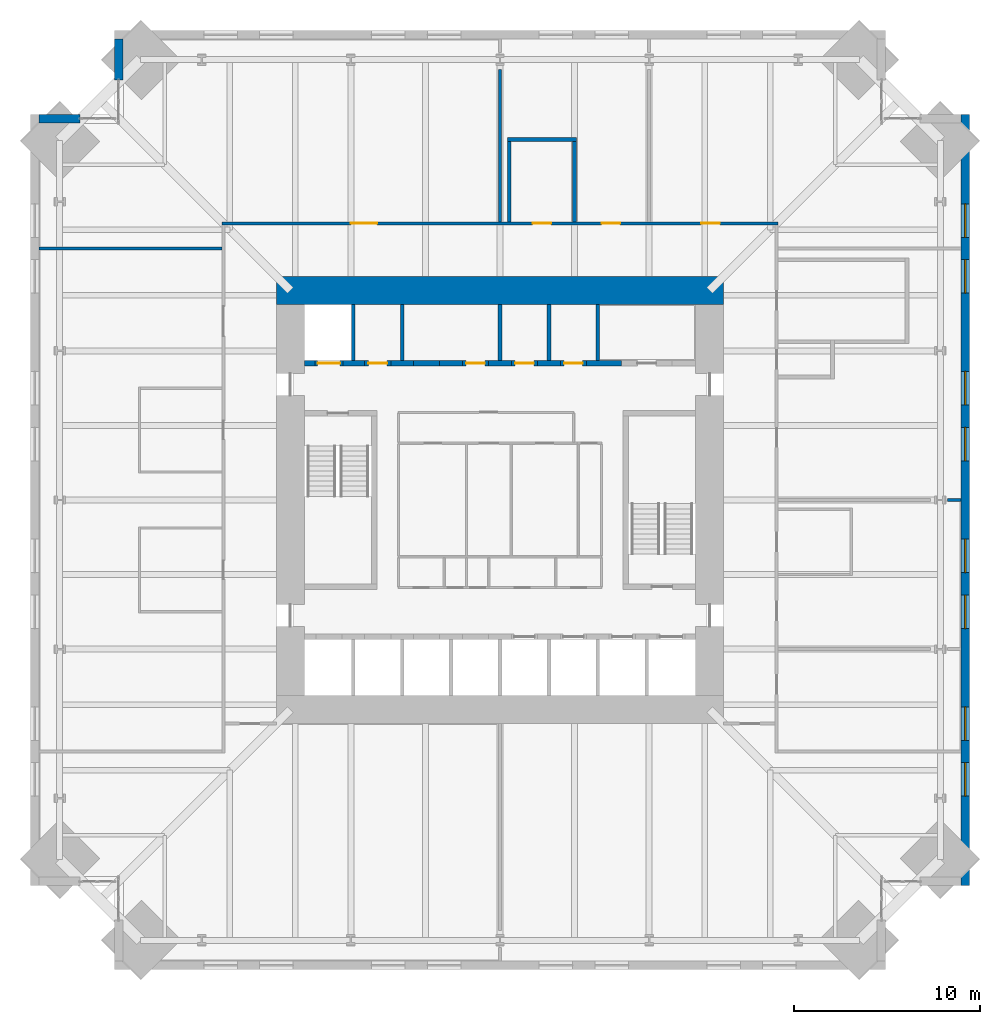
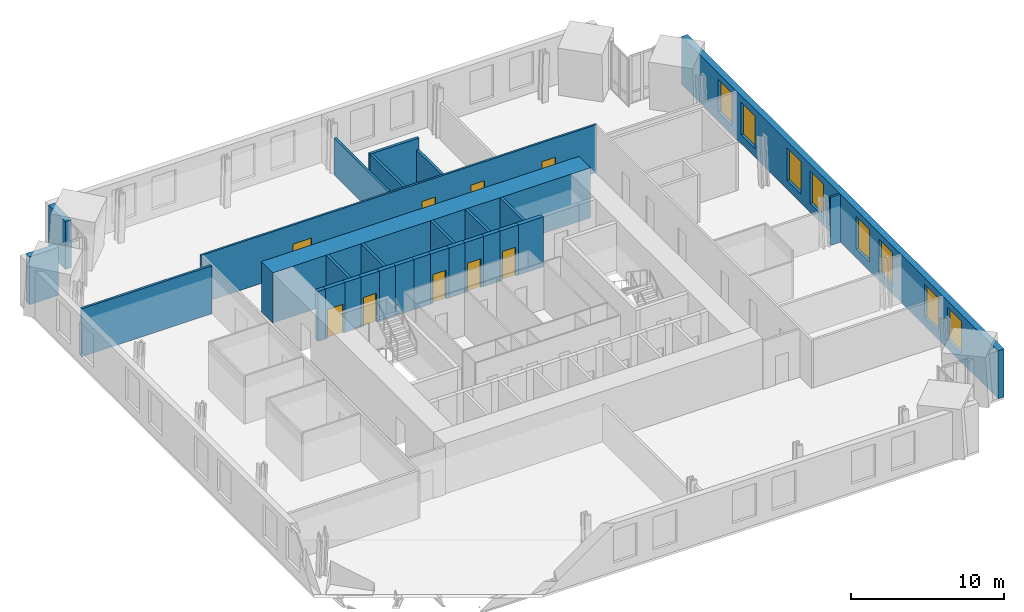
# One storey, part 13 of 15: 29 walls, 9 doors, 8 windows, 17 openings.
"""IFC4 building model written with IfcOpenShell, lengths in metres."""

from ifc_helpers import new_model, si_unit, direction, frame, frame_2d, origin, place, context, subcontext, project, spatial, rectangle, extrude, material, layer, layer_set, type_object, element, fill, save


model = new_model("IFC4")

# Units and contexts
model_context = context("Model", 3, precision=1e-05, world=origin(), true_north=direction((0.0, 1.0)))
body_context = subcontext(model_context, "Body", "Model", "MODEL_VIEW")
ifc_project = project(units=[si_unit("LENGTHUNIT", "METRE"), si_unit("AREAUNIT", "SQUARE_METRE"), si_unit("VOLUMEUNIT", "CUBIC_METRE"), si_unit("PLANEANGLEUNIT", "RADIAN"), si_unit("MASSUNIT", "GRAM", prefix="KILO")], contexts=[model_context])

# Site, building, storey
site_placement = place(None, origin())
site = spatial("IfcSite", under=ifc_project, at=site_placement, CompositionType="ELEMENT")
building_placement = place(site_placement, origin())
building = spatial("IfcBuilding", under=site, at=building_placement, Name="Peilmerk Tower", CompositionType="ELEMENT")
storey_placement = place(building_placement, frame((0.0, 0.0, 179.800048828125)))
storey = spatial("IfcBuildingStorey", under=building, at=storey_placement, Name="L38", CompositionType="ELEMENT", Elevation=179.800048828125)

# Wall, openings, windows
ifc_material_1 = material(Name="Precast concrete C45/55, board-marked finish", Category="concrete")
ifc_layer_1 = layer(ifc_material_1, 0.449951171875)
ifc_layer_set_1 = layer_set([ifc_layer_1], Name="Precast concrete C45/55, board-marked finish")
wall_type_1 = type_object("IfcWallType", Name="EW1 450 precast concrete facade wall, board-marked", PredefinedType="SOLIDWALL", material=ifc_layer_set_1)
wall_1_placement = place(storey_placement, frame((24.97509765625, -20.699951171875, 0.0), z_axis=(0.0, 0.0, 1.0), x_axis=(0.0, 1.0, 0.0)))
wall_1 = element("IfcWall", 1, at=wall_1_placement, inside=storey, type_object=wall_type_1, Name="Facade wall E L38", PredefinedType="SOLIDWALL", context=body_context, shape_type="SweptSolid", body=[
    extrude(rectangle(XDim=41.39990234375, YDim=0.449951171875, at=frame_2d((20.699951171875, 0.0))), origin(), (0.0, 0.0, 1.0), 3.829833984375),
])
opening_1_placement = place(wall_1_placement, frame((4.800048828125, 0.0, 0.699951171875)))
opening_1 = element("IfcOpeningElement", 2, at=opening_1_placement, cuts=wall_1, Name="Opening W1", PredefinedType="OPENING", context=body_context, shape_type="SweptSolid", body=[
    extrude(rectangle(XDim=1.800048828125, YDim=2.60009765625, at=frame_2d((0.89990234375, 1.300048828125))), frame((0.0, 0.23486328125, 0.0), z_axis=(0.0, -1.0, 0.0), x_axis=(1.0, 0.0, 0.0)), (0.0, 0.0, 1.0), 0.469970703125),
])
opening_2_placement = place(wall_1_placement, frame((7.800048828125, 0.0, 0.699951171875)))
opening_2 = element("IfcOpeningElement", 3, at=opening_2_placement, cuts=wall_1, Name="Opening W1", PredefinedType="OPENING", context=body_context, shape_type="SweptSolid", body=[
    extrude(rectangle(XDim=1.800048828125, YDim=2.60009765625, at=frame_2d((0.89990234375, 1.300048828125))), frame((0.0, 0.23486328125, 0.0), z_axis=(0.0, -1.0, 0.0), x_axis=(1.0, 0.0, 0.0)), (0.0, 0.0, 1.0), 0.469970703125),
])
opening_3_placement = place(wall_1_placement, frame((13.800048828125, 0.0, 0.699951171875)))
opening_3 = element("IfcOpeningElement", 4, at=opening_3_placement, cuts=wall_1, Name="Opening W1", PredefinedType="OPENING", context=body_context, shape_type="SweptSolid", body=[
    extrude(rectangle(XDim=1.800048828125, YDim=2.60009765625, at=frame_2d((0.89990234375, 1.300048828125))), frame((0.0, 0.23486328125, 0.0), z_axis=(0.0, -1.0, 0.0), x_axis=(1.0, 0.0, 0.0)), (0.0, 0.0, 1.0), 0.469970703125),
])
opening_4_placement = place(wall_1_placement, frame((16.800048828125, 0.0, 0.699951171875)))
opening_4 = element("IfcOpeningElement", 5, at=opening_4_placement, cuts=wall_1, Name="Opening W1", PredefinedType="OPENING", context=body_context, shape_type="SweptSolid", body=[
    extrude(rectangle(XDim=1.800048828125, YDim=2.60009765625, at=frame_2d((0.89990234375, 1.300048828125))), frame((0.0, 0.23486328125, 0.0), z_axis=(0.0, -1.0, 0.0), x_axis=(1.0, 0.0, 0.0)), (0.0, 0.0, 1.0), 0.469970703125),
])
opening_5_placement = place(wall_1_placement, frame((22.800048828125, 0.0, 0.699951171875)))
opening_5 = element("IfcOpeningElement", 6, at=opening_5_placement, cuts=wall_1, Name="Opening W1", PredefinedType="OPENING", context=body_context, shape_type="SweptSolid", body=[
    extrude(rectangle(XDim=1.800048828125, YDim=2.60009765625, at=frame_2d((0.89990234375, 1.300048828125))), frame((0.0, 0.23486328125, 0.0), z_axis=(0.0, -1.0, 0.0), x_axis=(1.0, 0.0, 0.0)), (0.0, 0.0, 1.0), 0.469970703125),
])
opening_6_placement = place(wall_1_placement, frame((25.800048828125, 0.0, 0.699951171875)))
opening_6 = element("IfcOpeningElement", 7, at=opening_6_placement, cuts=wall_1, Name="Opening W1", PredefinedType="OPENING", context=body_context, shape_type="SweptSolid", body=[
    extrude(rectangle(XDim=1.800048828125, YDim=2.60009765625, at=frame_2d((0.89990234375, 1.300048828125))), frame((0.0, 0.23486328125, 0.0), z_axis=(0.0, -1.0, 0.0), x_axis=(1.0, 0.0, 0.0)), (0.0, 0.0, 1.0), 0.469970703125),
])
opening_7_placement = place(wall_1_placement, frame((31.800048828125, 0.0, 0.699951171875)))
opening_7 = element("IfcOpeningElement", 8, at=opening_7_placement, cuts=wall_1, Name="Opening W1", PredefinedType="OPENING", context=body_context, shape_type="SweptSolid", body=[
    extrude(rectangle(XDim=1.800048828125, YDim=2.60009765625, at=frame_2d((0.89990234375, 1.300048828125))), frame((0.0, 0.23486328125, 0.0), z_axis=(0.0, -1.0, 0.0), x_axis=(1.0, 0.0, 0.0)), (0.0, 0.0, 1.0), 0.469970703125),
])
opening_8_placement = place(wall_1_placement, frame((34.800048828125, 0.0, 0.699951171875)))
opening_8 = element("IfcOpeningElement", 9, at=opening_8_placement, cuts=wall_1, Name="Opening W1", PredefinedType="OPENING", context=body_context, shape_type="SweptSolid", body=[
    extrude(rectangle(XDim=1.800048828125, YDim=2.60009765625, at=frame_2d((0.89990234375, 1.300048828125))), frame((0.0, 0.23486328125, 0.0), z_axis=(0.0, -1.0, 0.0), x_axis=(1.0, 0.0, 0.0)), (0.0, 0.0, 1.0), 0.469970703125),
])
ifc_material_2 = material(Name="Aluminium frame, clear double glazing", Category="aluminium")
window_type = type_object("IfcWindowType", Name="W1 1800x2600 office window", PartitioningType="SINGLE_PANEL", PredefinedType="WINDOW", material=ifc_material_2)
window_1_placement = place(opening_1_placement, origin())
window_1 = element("IfcWindow", 10, at=window_1_placement, inside=storey, type_object=window_type, Name="Window W1 L38", OverallHeight=2.60009765625, OverallWidth=1.800048828125, PartitioningType="SINGLE_PANEL", PredefinedType="WINDOW", context=body_context, shape_type="SweptSolid", body=[
    extrude(rectangle(XDim=1.800048828125, YDim=2.60009765625, at=frame_2d((0.89990234375, 1.300048828125))), frame((0.0, 0.030029296875, 0.0), z_axis=(0.0, -1.0, 0.0), x_axis=(1.0, 0.0, 0.0)), (0.0, 0.0, 1.0), 0.06005859375),
])
fill(opening_1, window_1)
window_2_placement = place(opening_2_placement, origin())
window_2 = element("IfcWindow", 11, at=window_2_placement, inside=storey, type_object=window_type, Name="Window W1 L38", OverallHeight=2.60009765625, OverallWidth=1.800048828125, PartitioningType="SINGLE_PANEL", PredefinedType="WINDOW", context=body_context, shape_type="SweptSolid", body=[
    extrude(rectangle(XDim=1.800048828125, YDim=2.60009765625, at=frame_2d((0.89990234375, 1.300048828125))), frame((0.0, 0.030029296875, 0.0), z_axis=(0.0, -1.0, 0.0), x_axis=(1.0, 0.0, 0.0)), (0.0, 0.0, 1.0), 0.06005859375),
])
fill(opening_2, window_2)
window_3_placement = place(opening_3_placement, origin())
window_3 = element("IfcWindow", 12, at=window_3_placement, inside=storey, type_object=window_type, Name="Window W1 L38", OverallHeight=2.60009765625, OverallWidth=1.800048828125, PartitioningType="SINGLE_PANEL", PredefinedType="WINDOW", context=body_context, shape_type="SweptSolid", body=[
    extrude(rectangle(XDim=1.800048828125, YDim=2.60009765625, at=frame_2d((0.89990234375, 1.300048828125))), frame((0.0, 0.030029296875, 0.0), z_axis=(0.0, -1.0, 0.0), x_axis=(1.0, 0.0, 0.0)), (0.0, 0.0, 1.0), 0.06005859375),
])
fill(opening_3, window_3)
window_4_placement = place(opening_4_placement, origin())
window_4 = element("IfcWindow", 13, at=window_4_placement, inside=storey, type_object=window_type, Name="Window W1 L38", OverallHeight=2.60009765625, OverallWidth=1.800048828125, PartitioningType="SINGLE_PANEL", PredefinedType="WINDOW", context=body_context, shape_type="SweptSolid", body=[
    extrude(rectangle(XDim=1.800048828125, YDim=2.60009765625, at=frame_2d((0.89990234375, 1.300048828125))), frame((0.0, 0.030029296875, 0.0), z_axis=(0.0, -1.0, 0.0), x_axis=(1.0, 0.0, 0.0)), (0.0, 0.0, 1.0), 0.06005859375),
])
fill(opening_4, window_4)
window_5_placement = place(opening_5_placement, origin())
window_5 = element("IfcWindow", 14, at=window_5_placement, inside=storey, type_object=window_type, Name="Window W1 L38", OverallHeight=2.60009765625, OverallWidth=1.800048828125, PartitioningType="SINGLE_PANEL", PredefinedType="WINDOW", context=body_context, shape_type="SweptSolid", body=[
    extrude(rectangle(XDim=1.800048828125, YDim=2.60009765625, at=frame_2d((0.89990234375, 1.300048828125))), frame((0.0, 0.030029296875, 0.0), z_axis=(0.0, -1.0, 0.0), x_axis=(1.0, 0.0, 0.0)), (0.0, 0.0, 1.0), 0.06005859375),
])
fill(opening_5, window_5)
window_6_placement = place(opening_6_placement, origin())
window_6 = element("IfcWindow", 15, at=window_6_placement, inside=storey, type_object=window_type, Name="Window W1 L38", OverallHeight=2.60009765625, OverallWidth=1.800048828125, PartitioningType="SINGLE_PANEL", PredefinedType="WINDOW", context=body_context, shape_type="SweptSolid", body=[
    extrude(rectangle(XDim=1.800048828125, YDim=2.60009765625, at=frame_2d((0.89990234375, 1.300048828125))), frame((0.0, 0.030029296875, 0.0), z_axis=(0.0, -1.0, 0.0), x_axis=(1.0, 0.0, 0.0)), (0.0, 0.0, 1.0), 0.06005859375),
])
fill(opening_6, window_6)
window_7_placement = place(opening_7_placement, origin())
window_7 = element("IfcWindow", 16, at=window_7_placement, inside=storey, type_object=window_type, Name="Window W1 L38", OverallHeight=2.60009765625, OverallWidth=1.800048828125, PartitioningType="SINGLE_PANEL", PredefinedType="WINDOW", context=body_context, shape_type="SweptSolid", body=[
    extrude(rectangle(XDim=1.800048828125, YDim=2.60009765625, at=frame_2d((0.89990234375, 1.300048828125))), frame((0.0, 0.030029296875, 0.0), z_axis=(0.0, -1.0, 0.0), x_axis=(1.0, 0.0, 0.0)), (0.0, 0.0, 1.0), 0.06005859375),
])
fill(opening_7, window_7)
window_8_placement = place(opening_8_placement, origin())
window_8 = element("IfcWindow", 17, at=window_8_placement, inside=storey, type_object=window_type, Name="Window W1 L38", OverallHeight=2.60009765625, OverallWidth=1.800048828125, PartitioningType="SINGLE_PANEL", PredefinedType="WINDOW", context=body_context, shape_type="SweptSolid", body=[
    extrude(rectangle(XDim=1.800048828125, YDim=2.60009765625, at=frame_2d((0.89990234375, 1.300048828125))), frame((0.0, 0.030029296875, 0.0), z_axis=(0.0, -1.0, 0.0), x_axis=(1.0, 0.0, 0.0)), (0.0, 0.0, 1.0), 0.06005859375),
])
fill(opening_8, window_8)

# Walls
for number, where, z_axis, x_axis, name in (
    (18, (-20.47509765625, 22.5537109375, 0.0), (0.0, 0.0, 1.0), (0.0, 1.0, 0.0), "Facade wall NWA L38"),
    (19, (-22.5537109375, 20.47509765625, 0.0), (0.0, 0.0, 1.0), (-1.0, 0.0, 0.0), "Facade wall NWB L38"),
):
    element("IfcWall", number, at=place(storey_placement, frame(where, z_axis=z_axis, x_axis=x_axis)), inside=storey, type_object=wall_type_1, Name=name, PredefinedType="SOLIDWALL", context=body_context, shape_type="SweptSolid", body=[
        extrude(rectangle(XDim=2.1962890625, YDim=0.449951171875, at=frame_2d((1.09814453125, 0.0))), origin(), (0.0, 0.0, 1.0), 3.829833984375),
    ])

# Wall, openings, doors
ifc_material_3 = material(Name="Calcium silicate block", Category="masonry")
ifc_layer_2 = layer(ifc_material_3, 0.14990234375)
ifc_layer_set_2 = layer_set([ifc_layer_2], Name="Calcium silicate block")
wall_type_2 = type_object("IfcWallType", Name="IW1 150 corridor partition, EI 60", PredefinedType="PARTITIONING", material=ifc_layer_set_2)
wall_2_placement = place(storey_placement, frame((-14.925048828125, 14.85009765625, 0.0), z_axis=(0.0, 0.0, 1.0), x_axis=(1.0, 0.0, 0.0)))
wall_2 = element("IfcWall", 20, at=wall_2_placement, inside=storey, type_object=wall_type_2, Name="Corridor wall N L38", PredefinedType="PARTITIONING", context=body_context, shape_type="SweptSolid", body=[
    extrude(rectangle(XDim=29.85009765625, YDim=0.14990234375, at=frame_2d((14.925048828125, 0.0))), origin(), (0.0, 0.0, 1.0), 3.829833984375),
])
opening_9_placement = place(wall_2_placement, frame((6.925048828125, 0.0, 0.0)))
opening_9 = element("IfcOpeningElement", 21, at=opening_9_placement, cuts=wall_2, Name="Opening D8", PredefinedType="OPENING", context=body_context, shape_type="SweptSolid", body=[
    extrude(rectangle(XDim=1.39990234375, YDim=2.300048828125, at=frame_2d((0.699951171875, 1.14990234375))), frame((0.0, 0.0849609375, 0.0), z_axis=(0.0, -1.0, 0.0), x_axis=(1.0, 0.0, 0.0)), (0.0, 0.0, 1.0), 0.169921875),
])
opening_10_placement = place(wall_2_placement, frame((20.375, 0.0, 0.0)))
opening_10 = element("IfcOpeningElement", 22, at=opening_10_placement, cuts=wall_2, Name="Opening D1", PredefinedType="OPENING", context=body_context, shape_type="SweptSolid", body=[
    extrude(rectangle(XDim=1.0, YDim=2.300048828125, at=frame_2d((0.5, 1.14990234375))), frame((0.0, 0.0849609375, 0.0), z_axis=(0.0, -1.0, 0.0), x_axis=(1.0, 0.0, 0.0)), (0.0, 0.0, 1.0), 0.169921875),
])
opening_11_placement = place(wall_2_placement, frame((25.72509765625, 0.0, 0.0)))
opening_11 = element("IfcOpeningElement", 23, at=opening_11_placement, cuts=wall_2, Name="Opening D1", PredefinedType="OPENING", context=body_context, shape_type="SweptSolid", body=[
    extrude(rectangle(XDim=1.0, YDim=2.300048828125, at=frame_2d((0.5, 1.14990234375))), frame((0.0, 0.0849609375, 0.0), z_axis=(0.0, -1.0, 0.0), x_axis=(1.0, 0.0, 0.0)), (0.0, 0.0, 1.0), 0.169921875),
])
opening_12_placement = place(wall_2_placement, frame((16.675048828125, 0.0, 0.0)))
opening_12 = element("IfcOpeningElement", 24, at=opening_12_placement, cuts=wall_2, Name="Opening D1", PredefinedType="OPENING", context=body_context, shape_type="SweptSolid", body=[
    extrude(rectangle(XDim=1.0, YDim=2.300048828125, at=frame_2d((0.5, 1.14990234375))), frame((0.0, 0.0849609375, 0.0), z_axis=(0.0, -1.0, 0.0), x_axis=(1.0, 0.0, 0.0)), (0.0, 0.0, 1.0), 0.169921875),
])
ifc_material_4 = material(Name="Timber door in steel frame", Category="steel")
door_type_1 = type_object("IfcDoorType", Name="D1 1000x2300 room door, EI2 30", OperationType="SINGLE_SWING_LEFT", PredefinedType="DOOR", material=ifc_material_4)
door_1_placement = place(opening_10_placement, origin())
door_1 = element("IfcDoor", 25, at=door_1_placement, inside=storey, type_object=door_type_1, Name="Door Changing room L38", OperationType="SINGLE_SWING_LEFT", OverallHeight=2.300048828125, OverallWidth=1.0, PredefinedType="DOOR", context=body_context, shape_type="SweptSolid", body=[
    extrude(rectangle(XDim=1.0, YDim=2.300048828125, at=frame_2d((0.5, 1.14990234375))), frame((0.0, 0.02490234375, 0.0), z_axis=(0.0, -1.0, 0.0), x_axis=(1.0, 0.0, 0.0)), (0.0, 0.0, 1.0), 0.050048828125),
])
fill(opening_10, door_1)
door_2_placement = place(opening_11_placement, origin())
door_2 = element("IfcDoor", 26, at=door_2_placement, inside=storey, type_object=door_type_1, Name="Door Exercise studio L38", OperationType="SINGLE_SWING_LEFT", OverallHeight=2.300048828125, OverallWidth=1.0, PredefinedType="DOOR", context=body_context, shape_type="SweptSolid", body=[
    extrude(rectangle(XDim=1.0, YDim=2.300048828125, at=frame_2d((0.5, 1.14990234375))), frame((0.0, 0.02490234375, 0.0), z_axis=(0.0, -1.0, 0.0), x_axis=(1.0, 0.0, 0.0)), (0.0, 0.0, 1.0), 0.050048828125),
])
fill(opening_11, door_2)
door_3_placement = place(opening_12_placement, origin())
door_3 = element("IfcDoor", 27, at=door_3_placement, inside=storey, type_object=door_type_1, Name="Door Locker room L38", OperationType="SINGLE_SWING_LEFT", OverallHeight=2.300048828125, OverallWidth=1.0, PredefinedType="DOOR", context=body_context, shape_type="SweptSolid", body=[
    extrude(rectangle(XDim=1.0, YDim=2.300048828125, at=frame_2d((0.5, 1.14990234375))), frame((0.0, 0.02490234375, 0.0), z_axis=(0.0, -1.0, 0.0), x_axis=(1.0, 0.0, 0.0)), (0.0, 0.0, 1.0), 0.050048828125),
])
fill(opening_12, door_3)
door_type_2 = type_object("IfcDoorType", Name="D8 1400x2300 leaf-and-a-half door, EI2 30", OperationType="DOUBLE_DOOR_SINGLE_SWING", PredefinedType="DOOR", material=ifc_material_4)
door_4_placement = place(opening_9_placement, origin())
door_4 = element("IfcDoor", 28, at=door_4_placement, inside=storey, type_object=door_type_2, Name="Door Fitness room L38", OperationType="DOUBLE_DOOR_SINGLE_SWING", OverallHeight=2.300048828125, OverallWidth=1.39990234375, PredefinedType="DOOR", context=body_context, shape_type="SweptSolid", body=[
    extrude(rectangle(XDim=1.39990234375, YDim=2.300048828125, at=frame_2d((0.699951171875, 1.14990234375))), frame((0.0, 0.02490234375, 0.0), z_axis=(0.0, -1.0, 0.0), x_axis=(1.0, 0.0, 0.0)), (0.0, 0.0, 1.0), 0.050048828125),
])
fill(opening_9, door_4)

# Walls
ifc_layer_3 = layer(ifc_material_3, 0.199951171875)
ifc_layer_set_3 = layer_set([ifc_layer_3], Name="Calcium silicate block")
wall_type_3 = type_object("IfcWallType", Name="IW2 200 room separating wall, EI 120", PredefinedType="PARTITIONING", material=ifc_layer_set_3)
wall_3_placement = place(storey_placement, frame((0.39990234375, 19.35009765625, 0.0), z_axis=(0.0, 0.0, 1.0), x_axis=(1.0, 0.0, 0.0)))
element("IfcWall", 29, at=wall_3_placement, inside=storey, type_object=wall_type_3, Name="Room separating wall Locker room L38", PredefinedType="PARTITIONING", context=body_context, shape_type="SweptSolid", body=[
    extrude(rectangle(XDim=3.7001953125, YDim=0.199951171875, at=frame_2d((1.85009765625, 0.0))), origin(), (0.0, 0.0, 1.0), 3.829833984375),
])
wall_4_placement = place(storey_placement, frame((0.5, 14.925048828125, 0.0), z_axis=(0.0, 0.0, 1.0), x_axis=(0.0, 1.0, 0.0)))
element("IfcWall", 30, at=wall_4_placement, inside=storey, type_object=wall_type_3, Name="Room separating wall Locker room L38", PredefinedType="PARTITIONING", context=body_context, shape_type="SweptSolid", body=[
    extrude(rectangle(XDim=4.324951171875, YDim=0.199951171875, at=frame_2d((2.16259765625, 0.0))), origin(), (0.0, 0.0, 1.0), 3.829833984375),
])
wall_5_placement = place(storey_placement, frame((4.0, 14.925048828125, 0.0), z_axis=(0.0, 0.0, 1.0), x_axis=(0.0, 1.0, 0.0)))
element("IfcWall", 31, at=wall_5_placement, inside=storey, type_object=wall_type_3, Name="Room separating wall Locker room L38", PredefinedType="PARTITIONING", context=body_context, shape_type="SweptSolid", body=[
    extrude(rectangle(XDim=4.324951171875, YDim=0.199951171875, at=frame_2d((2.16259765625, 0.0))), origin(), (0.0, 0.0, 1.0), 2.93994140625),
])
ifc_layer_4 = layer(ifc_material_3, 0.175048828125)
ifc_layer_set_4 = layer_set([ifc_layer_4], Name="Calcium silicate block")
wall_type_4 = type_object("IfcWallType", Name="IW8 175 tenant separating wall, EI 60", PredefinedType="PARTITIONING", material=ifc_layer_set_4)
wall_6_placement = place(storey_placement, frame((-24.75, 13.5, 0.0), z_axis=(0.0, 0.0, 1.0), x_axis=(1.0, 0.0, 0.0)))
element("IfcWall", 32, at=wall_6_placement, inside=storey, type_object=wall_type_4, Name="Tenant separating wall NW L38", PredefinedType="PARTITIONING", context=body_context, shape_type="SweptSolid", body=[
    extrude(rectangle(XDim=9.824951171875, YDim=0.175048828125, at=frame_2d((4.91259765625, 0.0))), origin(), (0.0, 0.0, 1.0), 3.829833984375),
])
wall_7_placement = place(storey_placement, frame((0.0, 14.925048828125, 0.0), z_axis=(0.0, 0.0, 1.0), x_axis=(0.0, 1.0, 0.0)))
element("IfcWall", 33, at=wall_7_placement, inside=storey, type_object=wall_type_4, Name="Tenant separating wall N1 L38", PredefinedType="PARTITIONING", context=body_context, shape_type="SweptSolid", body=[
    extrude(rectangle(XDim=8.196533203125, YDim=0.175048828125, at=frame_2d((4.09814453125, 0.0))), origin(), (0.0, 0.0, 1.0), 2.93994140625),
])
wall_8_placement = place(storey_placement, frame((24.0107421875, 0.0, 0.0), z_axis=(0.0, 0.0, 1.0), x_axis=(1.0, 0.0, 0.0)))
element("IfcWall", 34, at=wall_8_placement, inside=storey, type_object=wall_type_4, Name="Tenant separating wall E2b L38", PredefinedType="PARTITIONING", context=body_context, shape_type="SweptSolid", body=[
    extrude(rectangle(XDim=0.7392578125, YDim=0.175048828125, at=frame_2d((0.36962890625, 0.0))), origin(), (0.0, 0.0, 1.0), 3.829833984375),
])
ifc_layer_5 = layer(ifc_material_3, 0.199951171875)
ifc_layer_set_5 = layer_set([ifc_layer_5], Name="Calcium silicate block")
wall_type_5 = type_object("IfcWallType", Name="SH1 200 shaft dividing wall, EI 120", PredefinedType="PARTITIONING", material=ifc_layer_set_5)
for number, where, z_axis, x_axis, name in (
    (35, (-7.875, 7.5, 0.0), (0.0, 0.0, 1.0), (0.0, 1.0, 0.0), "Shaft wall N FL1 L38"),
    (36, (-5.25, 7.5, 0.0), (0.0, 0.0, 1.0), (0.0, 1.0, 0.0), "Shaft wall N A1 L38"),
    (37, (0.0, 7.5, 0.0), (0.0, 0.0, 1.0), (0.0, 1.0, 0.0), "Shaft wall N A3 L38"),
    (38, (2.625, 7.5, 0.0), (0.0, 0.0, 1.0), (0.0, 1.0, 0.0), "Shaft wall N S1 L38"),
    (39, (5.25, 7.5, 0.0), (0.0, 0.0, 1.0), (0.0, 1.0, 0.0), "Shaft wall N S2 L38"),
):
    element("IfcWall", number, at=place(storey_placement, frame(where, z_axis=z_axis, x_axis=x_axis)), inside=storey, type_object=wall_type_5, Name=name, PredefinedType="PARTITIONING", context=body_context, shape_type="SweptSolid", body=[
        extrude(rectangle(XDim=3.0, YDim=0.199951171875, at=frame_2d((1.5, 0.0))), origin(), (0.0, 0.0, 1.0), 4.0),
    ])

# Wall, opening, door
ifc_layer_6 = layer(ifc_material_3, 0.300048828125)
ifc_layer_set_6 = layer_set([ifc_layer_6], Name="Calcium silicate block")
wall_type_6 = type_object("IfcWallType", Name="SH2 300 lift landing door panel, EI 120", PredefinedType="PARTITIONING", material=ifc_layer_set_6)
wall_9_placement = place(storey_placement, frame((-9.9375, 7.35009765625, 0.0), z_axis=(0.0, 0.0, 1.0), x_axis=(1.0, 0.0, 0.0)))
wall_9 = element("IfcWall", 40, at=wall_9_placement, inside=storey, type_object=wall_type_6, Name="Lift door panel N FL1 L38", PredefinedType="PARTITIONING", context=body_context, shape_type="SweptSolid", body=[
    extrude(rectangle(XDim=1.5, YDim=0.300048828125, at=frame_2d((0.75, 0.0))), origin(), (0.0, 0.0, 1.0), 4.0),
])
opening_13_placement = place(wall_9_placement, frame((0.14990234375, 0.0, 0.0)))
opening_13 = element("IfcOpeningElement", 41, at=opening_13_placement, cuts=wall_9, Name="Opening LD2", PredefinedType="OPENING", context=body_context, shape_type="SweptSolid", body=[
    extrude(rectangle(XDim=1.199951171875, YDim=2.300048828125, at=frame_2d((0.60009765625, 1.14990234375))), frame((0.0, 0.159912109375, 0.0), z_axis=(0.0, -1.0, 0.0), x_axis=(1.0, 0.0, 0.0)), (0.0, 0.0, 1.0), 0.320068359375),
])
ifc_material_5 = material(Name="Stainless steel landing door", Category="steel")
door_type_3 = type_object("IfcDoorType", Name="LD2 1200x2300 lift landing door, sliding, EI2 60", OperationType="SLIDING_TO_LEFT", PredefinedType="DOOR", material=ifc_material_5)
door_5_placement = place(opening_13_placement, frame((1.199951171875, 0.0, 0.0), z_axis=(0.0, 0.0, 1.0), x_axis=(-1.0, 0.0, 0.0)))
door_5 = element("IfcDoor", 42, at=door_5_placement, inside=storey, type_object=door_type_3, Name="Lift landing door FL1 L38", OperationType="SLIDING_TO_LEFT", OverallHeight=2.300048828125, OverallWidth=1.199951171875, PredefinedType="DOOR", context=body_context, shape_type="SweptSolid", body=[
    extrude(rectangle(XDim=1.199951171875, YDim=2.300048828125, at=frame_2d((0.60009765625, 1.14990234375))), frame((0.0, 0.02490234375, 0.0), z_axis=(0.0, -1.0, 0.0), x_axis=(1.0, 0.0, 0.0)), (0.0, 0.0, 1.0), 0.050048828125),
])
fill(opening_13, door_5)

wall_10_placement = place(storey_placement, frame((-7.262451171875, 7.35009765625, 0.0), z_axis=(0.0, 0.0, 1.0), x_axis=(1.0, 0.0, 0.0)))
wall_10 = element("IfcWall", 43, at=wall_10_placement, inside=storey, type_object=wall_type_6, Name="Lift door panel N A1 L38", PredefinedType="PARTITIONING", context=body_context, shape_type="SweptSolid", body=[
    extrude(rectangle(XDim=1.39990234375, YDim=0.300048828125, at=frame_2d((0.699951171875, 0.0))), origin(), (0.0, 0.0, 1.0), 4.0),
])
opening_14_placement = place(wall_10_placement, frame((0.199951171875, 0.0, 0.0)))
opening_14 = element("IfcOpeningElement", 44, at=opening_14_placement, cuts=wall_10, Name="Opening D10", PredefinedType="OPENING", context=body_context, shape_type="SweptSolid", body=[
    extrude(rectangle(XDim=1.0, YDim=2.300048828125, at=frame_2d((0.5, 1.14990234375))), frame((0.0, 0.159912109375, 0.0), z_axis=(0.0, -1.0, 0.0), x_axis=(1.0, 0.0, 0.0)), (0.0, 0.0, 1.0), 0.320068359375),
])
ifc_material_6 = material(Name="Steel door in steel frame", Category="steel")
door_type_4 = type_object("IfcDoorType", Name="D10 1000x2300 core room door, EI2 60", OperationType="SINGLE_SWING_RIGHT", PredefinedType="DOOR", material=ifc_material_6)
door_6_placement = place(opening_14_placement, origin())
door_6 = element("IfcDoor", 45, at=door_6_placement, inside=storey, type_object=door_type_4, Name="Door Electrical room L38", OperationType="SINGLE_SWING_RIGHT", OverallHeight=2.300048828125, OverallWidth=1.0, PredefinedType="DOOR", context=body_context, shape_type="SweptSolid", body=[
    extrude(rectangle(XDim=1.0, YDim=2.300048828125, at=frame_2d((0.5, 1.14990234375))), frame((0.0, 0.02490234375, 0.0), z_axis=(0.0, -1.0, 0.0), x_axis=(1.0, 0.0, 0.0)), (0.0, 0.0, 1.0), 0.050048828125),
])
fill(opening_14, door_6)

# Wall
wall_11_placement = place(storey_placement, frame((-4.637451171875, 7.35009765625, 0.0), z_axis=(0.0, 0.0, 1.0), x_axis=(1.0, 0.0, 0.0)))
element("IfcWall", 46, at=wall_11_placement, inside=storey, type_object=wall_type_6, Name="Lift door panel N A2 L38", PredefinedType="PARTITIONING", context=body_context, shape_type="SweptSolid", body=[
    extrude(rectangle(XDim=1.39990234375, YDim=0.300048828125, at=frame_2d((0.699951171875, 0.0))), origin(), (0.0, 0.0, 1.0), 4.0),
])

# Wall, opening, door
wall_12_placement = place(storey_placement, frame((-2.012451171875, 7.35009765625, 0.0), z_axis=(0.0, 0.0, 1.0), x_axis=(1.0, 0.0, 0.0)))
wall_12 = element("IfcWall", 47, at=wall_12_placement, inside=storey, type_object=wall_type_6, Name="Lift door panel N A3 L38", PredefinedType="PARTITIONING", context=body_context, shape_type="SweptSolid", body=[
    extrude(rectangle(XDim=1.39990234375, YDim=0.300048828125, at=frame_2d((0.699951171875, 0.0))), origin(), (0.0, 0.0, 1.0), 4.0),
])
opening_15_placement = place(wall_12_placement, frame((0.199951171875, 0.0, 0.0)))
opening_15 = element("IfcOpeningElement", 48, at=opening_15_placement, cuts=wall_12, Name="Opening D10", PredefinedType="OPENING", context=body_context, shape_type="SweptSolid", body=[
    extrude(rectangle(XDim=1.0, YDim=2.300048828125, at=frame_2d((0.5, 1.14990234375))), frame((0.0, 0.159912109375, 0.0), z_axis=(0.0, -1.0, 0.0), x_axis=(1.0, 0.0, 0.0)), (0.0, 0.0, 1.0), 0.320068359375),
])
door_7_placement = place(opening_15_placement, origin())
door_7 = element("IfcDoor", 49, at=door_7_placement, inside=storey, type_object=door_type_4, Name="Door Vending room L38", OperationType="SINGLE_SWING_RIGHT", OverallHeight=2.300048828125, OverallWidth=1.0, PredefinedType="DOOR", context=body_context, shape_type="SweptSolid", body=[
    extrude(rectangle(XDim=1.0, YDim=2.300048828125, at=frame_2d((0.5, 1.14990234375))), frame((0.0, 0.02490234375, 0.0), z_axis=(0.0, -1.0, 0.0), x_axis=(1.0, 0.0, 0.0)), (0.0, 0.0, 1.0), 0.050048828125),
])
fill(opening_15, door_7)

wall_13_placement = place(storey_placement, frame((0.612548828125, 7.35009765625, 0.0), z_axis=(0.0, 0.0, 1.0), x_axis=(1.0, 0.0, 0.0)))
wall_13 = element("IfcWall", 50, at=wall_13_placement, inside=storey, type_object=wall_type_6, Name="Lift door panel N S1 L38", PredefinedType="PARTITIONING", context=body_context, shape_type="SweptSolid", body=[
    extrude(rectangle(XDim=1.39990234375, YDim=0.300048828125, at=frame_2d((0.699951171875, 0.0))), origin(), (0.0, 0.0, 1.0), 4.0),
])
opening_16_placement = place(wall_13_placement, frame((0.199951171875, 0.0, 0.0)))
opening_16 = element("IfcOpeningElement", 51, at=opening_16_placement, cuts=wall_13, Name="Opening D10", PredefinedType="OPENING", context=body_context, shape_type="SweptSolid", body=[
    extrude(rectangle(XDim=1.0, YDim=2.300048828125, at=frame_2d((0.5, 1.14990234375))), frame((0.0, 0.159912109375, 0.0), z_axis=(0.0, -1.0, 0.0), x_axis=(1.0, 0.0, 0.0)), (0.0, 0.0, 1.0), 0.320068359375),
])
door_8_placement = place(opening_16_placement, origin())
door_8 = element("IfcDoor", 52, at=door_8_placement, inside=storey, type_object=door_type_4, Name="Door Staff WC L38", OperationType="SINGLE_SWING_RIGHT", OverallHeight=2.300048828125, OverallWidth=1.0, PredefinedType="DOOR", context=body_context, shape_type="SweptSolid", body=[
    extrude(rectangle(XDim=1.0, YDim=2.300048828125, at=frame_2d((0.5, 1.14990234375))), frame((0.0, 0.02490234375, 0.0), z_axis=(0.0, -1.0, 0.0), x_axis=(1.0, 0.0, 0.0)), (0.0, 0.0, 1.0), 0.050048828125),
])
fill(opening_16, door_8)

wall_14_placement = place(storey_placement, frame((3.237548828125, 7.35009765625, 0.0), z_axis=(0.0, 0.0, 1.0), x_axis=(1.0, 0.0, 0.0)))
wall_14 = element("IfcWall", 53, at=wall_14_placement, inside=storey, type_object=wall_type_6, Name="Lift door panel N S2 L38", PredefinedType="PARTITIONING", context=body_context, shape_type="SweptSolid", body=[
    extrude(rectangle(XDim=1.39990234375, YDim=0.300048828125, at=frame_2d((0.699951171875, 0.0))), origin(), (0.0, 0.0, 1.0), 4.0),
])
opening_17_placement = place(wall_14_placement, frame((0.199951171875, 0.0, 0.0)))
opening_17 = element("IfcOpeningElement", 54, at=opening_17_placement, cuts=wall_14, Name="Opening D10", PredefinedType="OPENING", context=body_context, shape_type="SweptSolid", body=[
    extrude(rectangle(XDim=1.0, YDim=2.300048828125, at=frame_2d((0.5, 1.14990234375))), frame((0.0, 0.159912109375, 0.0), z_axis=(0.0, -1.0, 0.0), x_axis=(1.0, 0.0, 0.0)), (0.0, 0.0, 1.0), 0.320068359375),
])
door_9_placement = place(opening_17_placement, origin())
door_9 = element("IfcDoor", 55, at=door_9_placement, inside=storey, type_object=door_type_4, Name="Door IT room L38", OperationType="SINGLE_SWING_RIGHT", OverallHeight=2.300048828125, OverallWidth=1.0, PredefinedType="DOOR", context=body_context, shape_type="SweptSolid", body=[
    extrude(rectangle(XDim=1.0, YDim=2.300048828125, at=frame_2d((0.5, 1.14990234375))), frame((0.0, 0.02490234375, 0.0), z_axis=(0.0, -1.0, 0.0), x_axis=(1.0, 0.0, 0.0)), (0.0, 0.0, 1.0), 0.050048828125),
])
fill(opening_17, door_9)

# Walls
ifc_material_7 = material(Name="Concrete C55/67", Category="concrete")
ifc_layer_7 = layer(ifc_material_7, 1.5)
ifc_layer_set_7 = layer_set([ifc_layer_7], Name="Concrete C55/67")
wall_type_7 = type_object("IfcWallType", Name="SW1 1500 core wall", PredefinedType="SHEAR", material=ifc_layer_set_7)
wall_15_placement = place(storey_placement, frame((-12.0, 11.25, 0.0), z_axis=(0.0, 0.0, 1.0), x_axis=(1.0, 0.0, 0.0)))
element("IfcWall", 56, at=wall_15_placement, inside=storey, type_object=wall_type_7, Name="Core wall N L38", PredefinedType="SHEAR", context=body_context, shape_type="SweptSolid", body=[
    extrude(rectangle(XDim=24.0, YDim=1.5, at=frame_2d((12.0, 0.0))), origin(), (0.0, 0.0, 1.0), 4.0),
])
ifc_layer_8 = layer(ifc_material_7, 0.300048828125)
ifc_layer_set_8 = layer_set([ifc_layer_8], Name="Concrete C55/67")
wall_type_8 = type_object("IfcWallType", Name="SW2 300 lift bank pier", PredefinedType="SHEAR", material=ifc_layer_set_8)
wall_16_placement = place(storey_placement, frame((-10.5, 7.35009765625, 0.0), z_axis=(0.0, 0.0, 1.0), x_axis=(1.0, 0.0, 0.0)))
element("IfcWall", 57, at=wall_16_placement, inside=storey, type_object=wall_type_8, Name="Lift bank pier N L38", PredefinedType="SHEAR", context=body_context, shape_type="SweptSolid", body=[
    extrude(rectangle(XDim=0.5625, YDim=0.300048828125, at=frame_2d((0.28125, 0.0))), origin(), (0.0, 0.0, 1.0), 4.0),
])
wall_17_placement = place(storey_placement, frame((-8.4375, 7.35009765625, 0.0), z_axis=(0.0, 0.0, 1.0), x_axis=(1.0, 0.0, 0.0)))
element("IfcWall", 58, at=wall_17_placement, inside=storey, type_object=wall_type_8, Name="Lift bank pier N L38", PredefinedType="SHEAR", context=body_context, shape_type="SweptSolid", body=[
    extrude(rectangle(XDim=1.175048828125, YDim=0.300048828125, at=frame_2d((0.58740234375, 0.0))), origin(), (0.0, 0.0, 1.0), 4.0),
])
for number, where, z_axis, x_axis, name in (
    (59, (-5.862548828125, 7.35009765625, 0.0), (0.0, 0.0, 1.0), (1.0, 0.0, 0.0), "Lift bank pier N L38"),
    (60, (-3.237548828125, 7.35009765625, 0.0), (0.0, 0.0, 1.0), (1.0, 0.0, 0.0), "Lift bank pier N L38"),
    (61, (-0.612548828125, 7.35009765625, 0.0), (0.0, 0.0, 1.0), (1.0, 0.0, 0.0), "Lift bank pier N L38"),
    (62, (2.012451171875, 7.35009765625, 0.0), (0.0, 0.0, 1.0), (1.0, 0.0, 0.0), "Lift bank pier N L38"),
):
    element("IfcWall", number, at=place(storey_placement, frame(where, z_axis=z_axis, x_axis=x_axis)), inside=storey, type_object=wall_type_8, Name=name, PredefinedType="SHEAR", context=body_context, shape_type="SweptSolid", body=[
        extrude(rectangle(XDim=1.22509765625, YDim=0.300048828125, at=frame_2d((0.612548828125, 0.0))), origin(), (0.0, 0.0, 1.0), 4.0),
    ])
wall_18_placement = place(storey_placement, frame((4.637451171875, 7.35009765625, 0.0), z_axis=(0.0, 0.0, 1.0), x_axis=(1.0, 0.0, 0.0)))
element("IfcWall", 63, at=wall_18_placement, inside=storey, type_object=wall_type_8, Name="Lift bank pier N L38", PredefinedType="SHEAR", context=body_context, shape_type="SweptSolid", body=[
    extrude(rectangle(XDim=1.887451171875, YDim=0.300048828125, at=frame_2d((0.94384765625, 0.0))), origin(), (0.0, 0.0, 1.0), 4.0),
])

save(model, "model.ifc")
